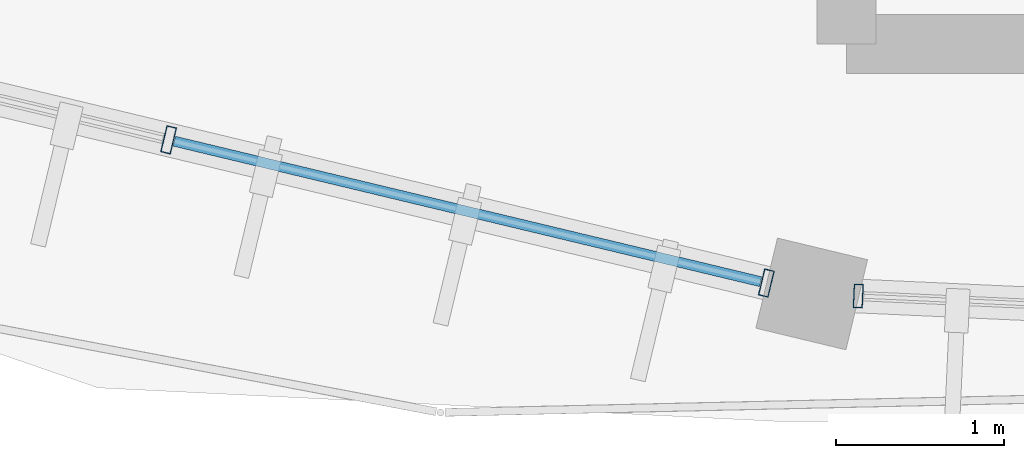
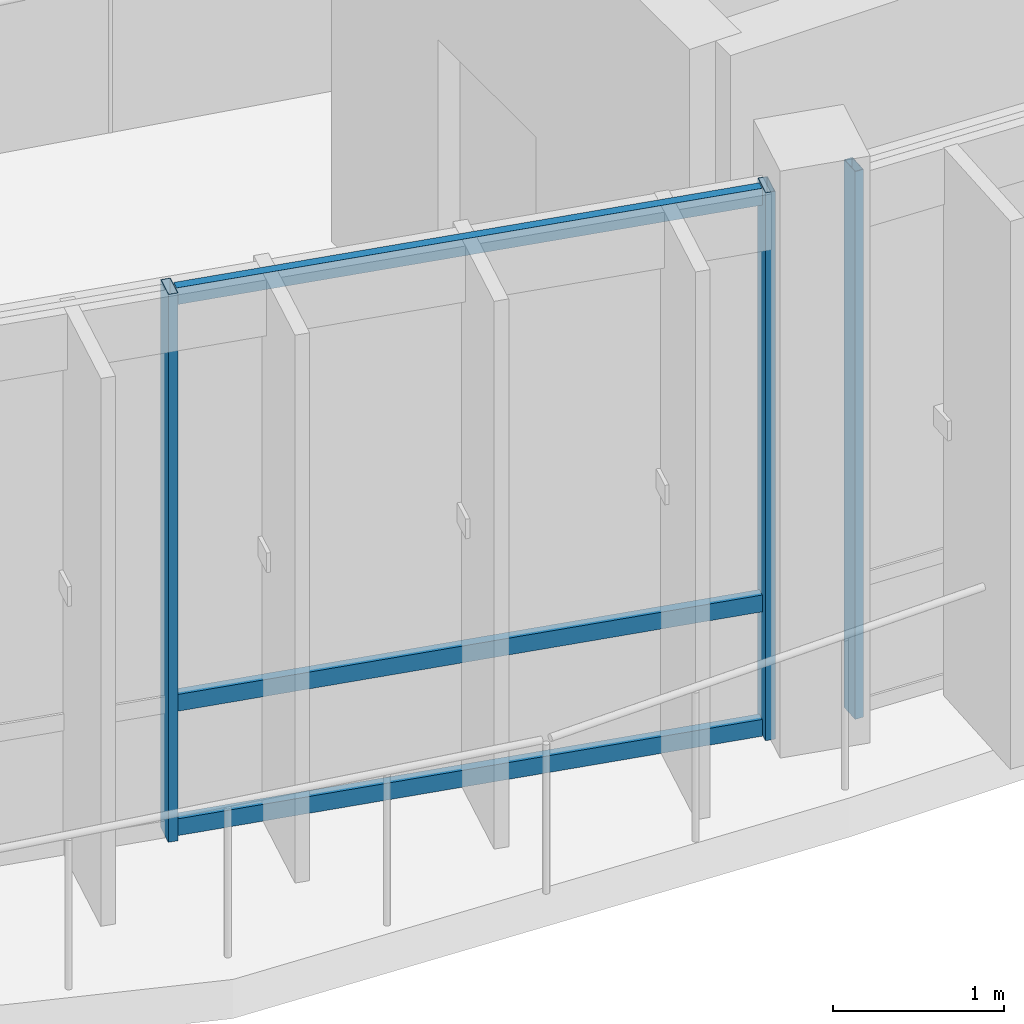
# One storey, part 12 of 79: 6 members, 2 elements without a shape of their own.
"""IFC4 building model written with IfcOpenShell, lengths in metres."""

from ifc_helpers import new_model, si_unit, direction, frame, origin, origin_2d, place, context, subcontext, project, spatial, hollow_rectangle, extrude, material, material_profile, profile_set, type_object, element, aggregate, save


model = new_model("IFC4")

# Units and contexts
model_context = context("Model", 3, precision=1e-05, world=origin(), true_north=direction((0.0, 1.0)))
body_context = subcontext(model_context, "Body", "Model", "MODEL_VIEW")
ifc_project = project(units=[si_unit("LENGTHUNIT", "METRE"), si_unit("AREAUNIT", "SQUARE_METRE"), si_unit("VOLUMEUNIT", "CUBIC_METRE"), si_unit("PLANEANGLEUNIT", "RADIAN"), si_unit("MASSUNIT", "GRAM", prefix="KILO"), si_unit("THERMODYNAMICTEMPERATUREUNIT", "KELVIN"), si_unit("POWERUNIT", "WATT")], contexts=[model_context])

# Site, building, storey
site_placement = place(None, origin())
site = spatial("IfcSite", under=ifc_project, at=site_placement, CompositionType="ELEMENT")
building_placement = place(site_placement, origin())
building = spatial("IfcBuilding", under=site, at=building_placement, Name="Darbajah Civic Hall", CompositionType="ELEMENT")
storey_placement = place(building_placement, frame((0.0, 0.0, 22.199951171875)))
storey = spatial("IfcBuildingStorey", under=building, at=storey_placement, Name="L05", CompositionType="ELEMENT", Elevation=22.199951171875)

# Curtain wall, member
ifc_material_1 = material(Name="Anodised Bronze Aluminium and Low-E Glazing", Category="aluminium")
curtain_wall_type_1 = type_object("IfcCurtainWallType", Name="Unitised Curtain Wall CW-84 15400x3900", PredefinedType="USERDEFINED", material=ifc_material_1)
curtain_wall_1_placement = place(storey_placement, origin())
curtain_wall_1 = element("IfcCurtainWall", 1, at=curtain_wall_1_placement, inside=storey, type_object=curtain_wall_type_1, Name="L05 unitised curtain wall CW-V1O-L05-14", ObjectType="UNITISED CURTAIN WALL", PredefinedType="USERDEFINED")
ifc_material_2 = material(Name="Anodised Bronze Aluminium", Category="aluminium")
ifc_material_profile_1 = material_profile(ifc_material_2, hollow_rectangle(XDim=0.054931640625, YDim=0.139892578125, WallThickness=0.003173828125, at=origin_2d()), Name="ALU MULLION 55x140")
ifc_profile_set_1 = profile_set([ifc_material_profile_1], Name="Anodised Bronze Aluminium")
member_type_1 = type_object("IfcMemberType", Name="ALU MULLION 55x140", PredefinedType="MULLION", material=ifc_profile_set_1)
member_1_placement = place(storey_placement, frame((77.470947265625, 61.1025390625, 0.0), z_axis=(0.0, 0.0, 1.0), x_axis=(0.998962637241, -0.045537340693, 0.0)))
member_1 = element("IfcMember", 2, at=member_1_placement, type_object=member_type_1, Name="CW-V1O-L05-14 mullion 1", PredefinedType="MULLION", context=body_context, shape_type="SweptSolid", body=[
    extrude(hollow_rectangle(XDim=0.054931640625, YDim=0.139892578125, WallThickness=0.003173828125, at=origin_2d()), origin(), (0.0, 0.0, 1.0), 3.920166015625),
])
aggregate(curtain_wall_1, [member_1])

# Curtain wall, members
curtain_wall_type_2 = type_object("IfcCurtainWallType", Name="Unitised Curtain Wall CW-71 14600x3900", PredefinedType="USERDEFINED", material=ifc_material_1)
curtain_wall_2_placement = place(storey_placement, origin())
curtain_wall_2 = element("IfcCurtainWall", 3, at=curtain_wall_2_placement, inside=storey, type_object=curtain_wall_type_2, Name="L05 unitised curtain wall CW-V1O-L05-13", ObjectType="UNITISED CURTAIN WALL", PredefinedType="USERDEFINED")
ifc_material_profile_2 = material_profile(ifc_material_2, hollow_rectangle(XDim=0.06005859375, YDim=0.159912109375, WallThickness=0.00341796875, at=origin_2d()), Name="ALU MULLION 60x160")
ifc_profile_set_2 = profile_set([ifc_material_profile_2], Name="Anodised Bronze Aluminium")
member_type_2 = type_object("IfcMemberType", Name="ALU MULLION 60x160", PredefinedType="MULLION", material=ifc_profile_set_2)
member_2_placement = place(storey_placement, frame((73.374267578125, 62.0302734375, 0.0), z_axis=(0.0, 0.0, 1.0), x_axis=(0.972492018808, -0.232936200179, 0.0)))
member_2 = element("IfcMember", 4, at=member_2_placement, type_object=member_type_2, Name="CW-V1O-L05-13 mullion 4", PredefinedType="MULLION", context=body_context, shape_type="SweptSolid", body=[
    extrude(hollow_rectangle(XDim=0.06005859375, YDim=0.159912109375, WallThickness=0.00341796875, at=origin_2d()), origin(), (0.0, 0.0, 1.0), 3.920166015625),
])
member_3_placement = place(storey_placement, frame((76.9248046875, 61.1796875, 0.0), z_axis=(0.0, 0.0, 1.0), x_axis=(0.972492018808, -0.232936200179, 0.0)))
member_3 = element("IfcMember", 5, at=member_3_placement, type_object=member_type_2, Name="CW-V1O-L05-13 mullion 5", PredefinedType="MULLION", context=body_context, shape_type="SweptSolid", body=[
    extrude(hollow_rectangle(XDim=0.06005859375, YDim=0.159912109375, WallThickness=0.00341796875, at=origin_2d()), origin(), (0.0, 0.0, 1.0), 3.920166015625),
])
ifc_material_profile_3 = material_profile(ifc_material_2, hollow_rectangle(XDim=0.06005859375, YDim=0.1201171875, WallThickness=0.003173828125, at=origin_2d()), Name="ALU TRANSOM 60x120")
ifc_profile_set_3 = profile_set([ifc_material_profile_3], Name="Anodised Bronze Aluminium")
member_type_3 = type_object("IfcMemberType", Name="ALU TRANSOM 60x120", PredefinedType="USERDEFINED", material=ifc_profile_set_3)
member_4_placement = place(storey_placement, frame((73.408203125, 62.022216796875, 0.06005859375), z_axis=(0.972473868107, -0.233011965033, 0.0), x_axis=(0.233011965033, 0.972473868107, 0.0)))
member_4 = element("IfcMember", 6, at=member_4_placement, type_object=member_type_3, Name="CW-V1O-L05-13 transom 4.1", ObjectType="TRANSOM", PredefinedType="USERDEFINED", context=body_context, shape_type="SweptSolid", body=[
    extrude(hollow_rectangle(XDim=0.06005859375, YDim=0.1201171875, WallThickness=0.003173828125, at=origin_2d()), origin(), (0.0, 0.0, 1.0), 3.581298828125),
])
member_5_placement = place(storey_placement, frame((73.408203125, 62.022216796875, 0.949951171875), z_axis=(0.972473868107, -0.233011965033, 0.0), x_axis=(0.233011965033, 0.972473868107, 0.0)))
member_5 = element("IfcMember", 7, at=member_5_placement, type_object=member_type_3, Name="CW-V1O-L05-13 transom 4.2", ObjectType="TRANSOM", PredefinedType="USERDEFINED", context=body_context, shape_type="SweptSolid", body=[
    extrude(hollow_rectangle(XDim=0.06005859375, YDim=0.1201171875, WallThickness=0.003173828125, at=origin_2d()), origin(), (0.0, 0.0, 1.0), 3.581298828125),
])
member_6_placement = place(storey_placement, frame((73.408203125, 62.022216796875, 3.860107421875), z_axis=(0.972473868107, -0.233011965033, 0.0), x_axis=(0.233011965033, 0.972473868107, 0.0)))
member_6 = element("IfcMember", 8, at=member_6_placement, type_object=member_type_3, Name="CW-V1O-L05-13 transom 4.3", ObjectType="TRANSOM", PredefinedType="USERDEFINED", context=body_context, shape_type="SweptSolid", body=[
    extrude(hollow_rectangle(XDim=0.06005859375, YDim=0.1201171875, WallThickness=0.003173828125, at=origin_2d()), origin(), (0.0, 0.0, 1.0), 3.581298828125),
])
aggregate(curtain_wall_2, [member_2, member_3, member_4, member_5, member_6])

save(model, "model.ifc")
